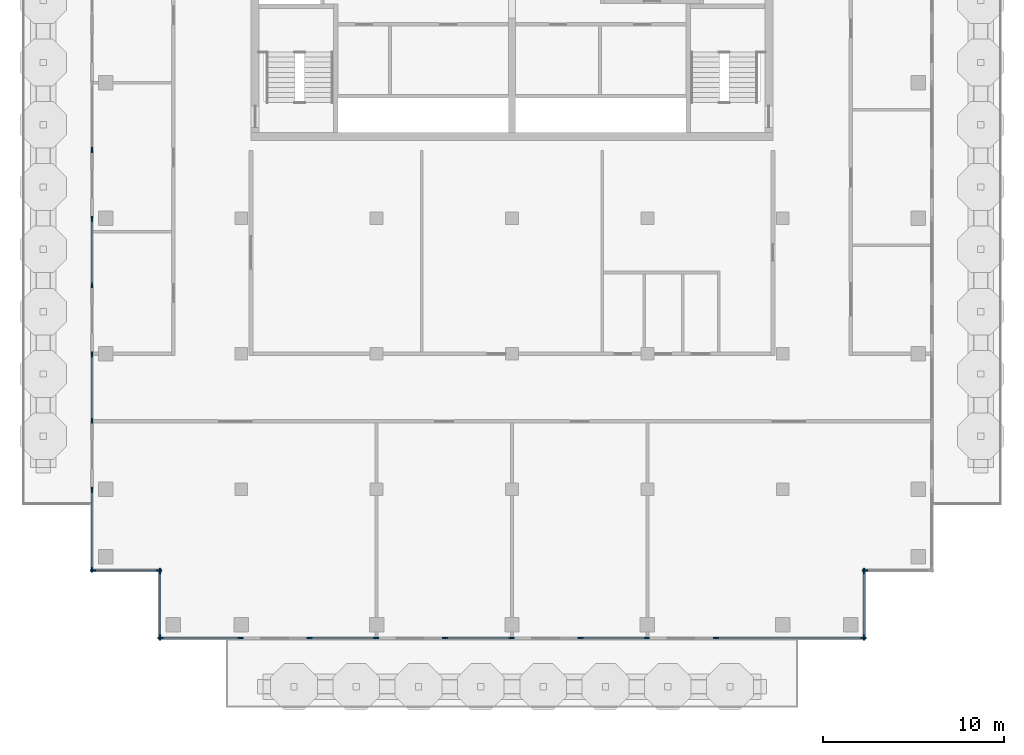
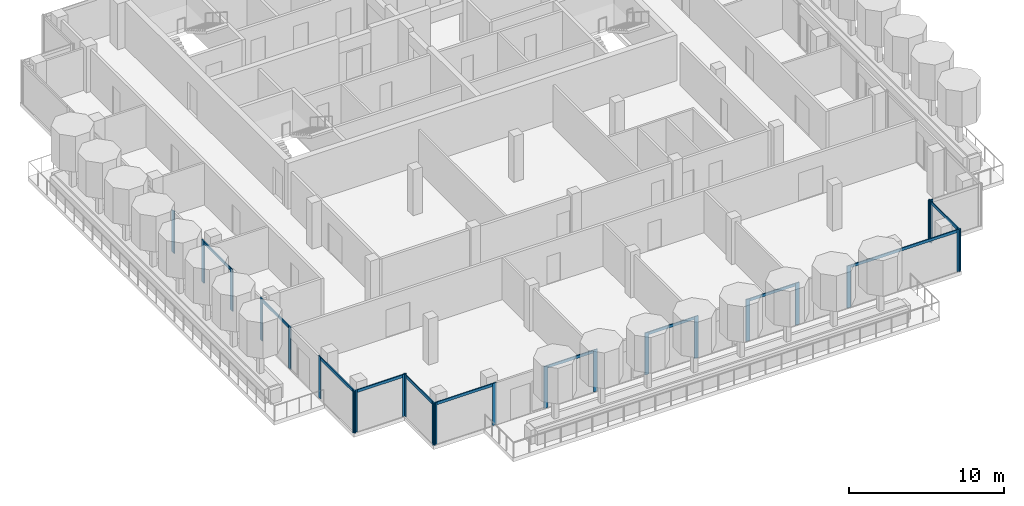
# One storey, part 2 of 12: 35 members, 13 elements without a shape of their own.
"""IFC4 building model written with IfcOpenShell, lengths in metres."""

import ifcopenshell
import ifcopenshell.guid

model = None  # the IFC model being written
_history = None  # IfcOwnerHistory: only IFC2X3 demands one
_inside = {}  # id of a spatial element -> (the spatial element, [elements in it])
_under = {}  # id of a project, library or spatial element -> (it, [spatial elements below it])
_declared = {}  # id of a project -> (the project, [libraries it declares])
_typed = {}  # id of a type object -> (the type object, [elements of that type])
_made_of = {}  # id of a material, layer set ... -> (it, [elements and type objects made of it])


def new_model(schema):
    """Start an empty IFC model of exactly this schema.

    Asked for "IFC4X3", IfcOpenShell would pick the latest addendum, in which some entities
    have other attributes; the version numbers below select the first issue.
    IFC2X3 requires an IfcOwnerHistory on every rooted entity: one is made here for all.
    """
    global model, _history
    if schema == "IFC4X3":
        model = ifcopenshell.file(schema_version=(4, 3, 0, 0))
    else:
        model = ifcopenshell.file(schema=schema)
    _inside.clear()
    _under.clear()
    _declared.clear()
    _typed.clear()
    _made_of.clear()
    _history = None
    if model.schema == "IFC2X3":
        org = make("IfcOrganization", Name="unknown")
        user = make(
            "IfcPersonAndOrganization",
            ThePerson=make("IfcPerson", FamilyName="unknown"),
            TheOrganization=org,
        )
        app = make(
            "IfcApplication",
            ApplicationDeveloper=org,
            Version="unknown",
            ApplicationFullName="unknown",
            ApplicationIdentifier="unknown",
        )
        _history = make(
            "IfcOwnerHistory",
            OwningUser=user,
            OwningApplication=app,
            ChangeAction="ADDED",
            CreationDate=0,
        )
    return model


def make(cls, **values):
    """One entity of the class cls with the attributes given. An attribute that is None is left unset."""
    return model.create_entity(
        cls, **{name: value for name, value in values.items() if value is not None}
    )


def rooted(cls, **values):
    """An entity with a GlobalId (a new one), such as an element, a storey or a relation."""
    return make(cls, GlobalId=ifcopenshell.guid.new(), OwnerHistory=_history, **values)


def si_unit(unit_type, name, prefix=None):
    """IfcSIUnit, for example si_unit("LENGTHUNIT", "METRE", prefix="MILLI")."""
    return make("IfcSIUnit", UnitType=unit_type, Prefix=prefix, Name=name)


def assignment(units):
    """IfcUnitAssignment: the units of a project."""
    return None if units is None else make("IfcUnitAssignment", Units=units)


def point(xyz):
    """IfcCartesianPoint."""
    return None if xyz is None else make("IfcCartesianPoint", Coordinates=xyz)


def direction(xyz):
    """IfcDirection."""
    return None if xyz is None else make("IfcDirection", DirectionRatios=xyz)


def frame(location, z_axis=None, x_axis=None):
    """IfcAxis2Placement3D, a coordinate frame: its origin and axes. An axis left out is left unset."""
    return make(
        "IfcAxis2Placement3D",
        Location=point(location),
        Axis=direction(z_axis),
        RefDirection=direction(x_axis),
    )


def frame_2d(location, x_axis=None):
    """IfcAxis2Placement2D, a coordinate frame in the plane: its origin and x axis."""
    return make(
        "IfcAxis2Placement2D", Location=point(location), RefDirection=direction(x_axis)
    )


def origin():
    """The frame at (0, 0, 0) with its axes left unset."""
    return frame((0.0, 0.0, 0.0))


def origin_2d():
    """The frame at (0, 0) in the plane with its x axis left unset."""
    return frame_2d((0.0, 0.0))


def place(relative_to, where):
    """IfcLocalPlacement: puts the frame where relative to a parent placement (None: the world)."""
    return make(
        "IfcLocalPlacement", PlacementRelTo=relative_to, RelativePlacement=where
    )


def context(
    kind, dimensions, precision=None, world=None, true_north=None, identifier=None
):
    """IfcGeometricRepresentationContext, for example the 3D "Model" context."""
    return make(
        "IfcGeometricRepresentationContext",
        ContextIdentifier=identifier,
        ContextType=kind,
        CoordinateSpaceDimension=dimensions,
        Precision=precision,
        WorldCoordinateSystem=world,
        TrueNorth=true_north,
    )


def subcontext(parent, identifier, kind, view, scale=None):
    """IfcGeometricRepresentationSubContext, for example "Body" below "Model"."""
    return make(
        "IfcGeometricRepresentationSubContext",
        ContextIdentifier=identifier,
        ContextType=kind,
        ParentContext=parent,
        TargetScale=scale,
        TargetView=view,
    )


def project(units=None, contexts=None):
    """IfcProject with its units and contexts."""
    return rooted(
        "IfcProject",
        Name="project",
        RepresentationContexts=contexts,
        UnitsInContext=assignment(units),
    )


def spatial(cls, under=None, at=None, **own):
    """A site, building, storey or space (cls), placed at a placement, below another one or the project."""
    s = rooted(cls, ObjectPlacement=at, **own)
    if under is not None:
        _under.setdefault(under.id(), (under, []))[1].append(s)
    return s


def profile(cls, at=None, kind="AREA", **sizes):
    """A parametric profile (cls). Its sizes go by their IFC names, for example OverallWidth=200.0."""
    return make(cls, ProfileType=kind, Position=at, **sizes)


def rectangle(**sizes):
    """IfcRectangleProfileDef."""
    return profile("IfcRectangleProfileDef", **sizes)


def extrude(swept, where, along, depth):
    """IfcExtrudedAreaSolid: the profile swept, set in the frame where, extruded along a direction by depth."""
    return make(
        "IfcExtrudedAreaSolid",
        SweptArea=swept,
        Position=where,
        ExtrudedDirection=direction(along),
        Depth=depth,
    )


def shape(context_of_items, identifier, shape_type, items):
    """IfcShapeRepresentation: the items that make up one representation, for example the "Body"."""
    return make(
        "IfcShapeRepresentation",
        ContextOfItems=context_of_items,
        RepresentationIdentifier=identifier,
        RepresentationType=shape_type,
        Items=items,
    )


def material(Name=None, Category=None):
    """IfcMaterial."""
    return make("IfcMaterial", Name=Name, Category=Category)


def material_profile(
    of_material, cross_section, Name=None, Category=None, Priority=None
):
    """IfcMaterialProfile: a cross section and its material."""
    return make(
        "IfcMaterialProfile",
        Name=Name,
        Material=of_material,
        Profile=cross_section,
        Priority=Priority,
        Category=Category,
    )


def profile_set(profiles, Name=None, composite=None):
    """IfcMaterialProfileSet."""
    return make(
        "IfcMaterialProfileSet",
        Name=Name,
        MaterialProfiles=profiles,
        CompositeProfile=composite,
    )


def made_of(thing, what):
    """Note that an element or type object is made of a material, layer set ...; save() writes the relation."""
    if what is not None:
        _made_of.setdefault(what.id(), (what, []))[1].append(thing)
    return thing


def type_object(cls, material=None, **own):
    """A type object (cls), such as IfcWallType, which elements share."""
    return made_of(rooted(cls, **own), material)


def element(
    cls,
    number,
    at=None,
    inside=None,
    cuts=None,
    type_object=None,
    material=None,
    context=None,
    identifier="Body",
    shape_type=None,
    held_by="IfcProductDefinitionShape",
    body=None,
    shapes=None,
    **own,
):
    """One element of the class cls, such as IfcWall. Its Tag is "e" and its number.

    at: its placement. inside: the storey or other place that contains it. cuts: it is an
    opening in that element (IfcRelVoidsElement). A single representation is given by context,
    identifier, shape_type and body (its items); several are given by shapes. held_by: the class
    of the entity that holds the representations. save() writes the other relations.
    """
    e = rooted(cls, Tag="e%d" % number, ObjectPlacement=at, **own)
    if body is not None:
        shapes = [shape(context, identifier, shape_type, body)]
    if shapes is not None:
        e.Representation = make(held_by, Representations=shapes)
    if inside is not None:
        _inside.setdefault(inside.id(), (inside, []))[1].append(e)
    if cuts is not None:
        rooted(
            "IfcRelVoidsElement", RelatingBuildingElement=cuts, RelatedOpeningElement=e
        )
    if type_object is not None:
        _typed.setdefault(type_object.id(), (type_object, []))[1].append(e)
    return made_of(e, material)


def aggregate(whole, parts):
    """IfcRelAggregates: a whole, such as a stair, and the parts it consists of."""
    return rooted("IfcRelAggregates", RelatingObject=whole, RelatedObjects=parts)


def save(model, path):
    """Write the relations noted so far, then the file.

    IfcRelAggregates (storeys below a building ...), IfcRelContainedInSpatialStructure (elements
    in a storey), IfcRelDefinesByType, IfcRelAssociatesMaterial and IfcRelDeclares: one each for
    every whole, place, type object, material and project.
    """
    for whole, parts in _under.values():
        aggregate(whole, parts)
    for where, things in _inside.values():
        rooted(
            "IfcRelContainedInSpatialStructure",
            RelatedElements=things,
            RelatingStructure=where,
        )
    for kind, things in _typed.values():
        rooted("IfcRelDefinesByType", RelatedObjects=things, RelatingType=kind)
    for what, things in _made_of.values():
        rooted("IfcRelAssociatesMaterial", RelatedObjects=things, RelatingMaterial=what)
    for by, libraries in _declared.values():
        rooted("IfcRelDeclares", RelatingContext=by, RelatedDefinitions=libraries)
    model.write(path)


model = new_model("IFC4")

# Units and contexts
model_context = context("Model", 3, precision=1e-05, world=origin(), true_north=direction((0.0, 1.0)))
body_context = subcontext(model_context, "Body", "Model", "MODEL_VIEW")
ifc_project = project(units=[si_unit("LENGTHUNIT", "METRE"), si_unit("AREAUNIT", "SQUARE_METRE"), si_unit("VOLUMEUNIT", "CUBIC_METRE"), si_unit("PLANEANGLEUNIT", "RADIAN"), si_unit("MASSUNIT", "GRAM", prefix="KILO")], contexts=[model_context])

# Site, building, storey
site_placement = place(None, origin())
site = spatial("IfcSite", under=ifc_project, at=site_placement, CompositionType="ELEMENT")
building_placement = place(site_placement, origin())
building = spatial("IfcBuilding", under=site, at=building_placement, Name="Pilkhan Gate Tower", CompositionType="ELEMENT")
storey_placement = place(building_placement, frame((0.0, 0.0, 258.5)))
storey = spatial("IfcBuildingStorey", under=building, at=storey_placement, Name="L67", CompositionType="ELEMENT", Elevation=258.5)

# Curtain wall, members
ifc_material_1 = material(Name="Pale anodised aluminium, clear low-iron double glazing", Category="aluminium")
curtain_wall_type = type_object("IfcCurtainWallType", Name="Crown unitised curtain wall CW-C", PredefinedType="USERDEFINED", material=ifc_material_1)
curtain_wall_1_placement = place(storey_placement, origin())
curtain_wall_1 = element("IfcCurtainWall", 1, at=curtain_wall_1_placement, inside=storey, type_object=curtain_wall_type, Name="Crown unitised curtain wall CW-C L67 W", ObjectType="UNITISED CURTAIN WALL", PredefinedType="USERDEFINED")
ifc_material_2 = material(Name="Pale anodised aluminium", Category="aluminium")
ifc_material_profile_1 = material_profile(ifc_material_2, rectangle(XDim=0.074951171875, YDim=0.300048828125, at=origin_2d()), Name="Mullion 300x75")
ifc_profile_set_1 = profile_set([ifc_material_profile_1], Name="Pale anodised aluminium")
member_type_1 = type_object("IfcMemberType", Name="Mullion CW-C 300x75", PredefinedType="MULLION", material=ifc_profile_set_1)
member_1_placement = place(storey_placement, frame((51.75, 48.03759765625, 0.0), z_axis=(0.0, 0.0, 1.0), x_axis=(-1.0, 0.0, 0.0)))
member_1 = element("IfcMember", 2, at=member_1_placement, type_object=member_type_1, Name="CW-C mullion 1", PredefinedType="MULLION", context=body_context, shape_type="SweptSolid", body=[
    extrude(rectangle(XDim=0.074951171875, YDim=0.300048828125, at=origin_2d()), origin(), (0.0, 0.0, 1.0), 3.300048828125),
])
member_2_placement = place(storey_placement, frame((51.75, 52.46240234375, 0.0), z_axis=(0.0, 0.0, 1.0), x_axis=(-1.0, 0.0, 0.0)))
member_2 = element("IfcMember", 3, at=member_2_placement, type_object=member_type_1, Name="CW-C mullion 2", PredefinedType="MULLION", context=body_context, shape_type="SweptSolid", body=[
    extrude(rectangle(XDim=0.074951171875, YDim=0.300048828125, at=origin_2d()), origin(), (0.0, 0.0, 1.0), 3.300048828125),
])

curtain_wall_2_placement = place(storey_placement, origin())
curtain_wall_2 = element("IfcCurtainWall", 4, at=curtain_wall_2_placement, inside=storey, type_object=curtain_wall_type, Name="Crown unitised curtain wall CW-C L67 W", ObjectType="UNITISED CURTAIN WALL", PredefinedType="USERDEFINED")
member_3_placement = place(storey_placement, frame((51.75, 56.28759765625, 0.0), z_axis=(0.0, 0.0, 1.0), x_axis=(-1.0, 0.0, 0.0)))
member_3 = element("IfcMember", 5, at=member_3_placement, type_object=member_type_1, Name="CW-C mullion 1", PredefinedType="MULLION", context=body_context, shape_type="SweptSolid", body=[
    extrude(rectangle(XDim=0.074951171875, YDim=0.300048828125, at=origin_2d()), origin(), (0.0, 0.0, 1.0), 3.300048828125),
])
member_4_placement = place(storey_placement, frame((51.75, 59.96240234375, 0.0), z_axis=(0.0, 0.0, 1.0), x_axis=(-1.0, 0.0, 0.0)))
member_4 = element("IfcMember", 6, at=member_4_placement, type_object=member_type_1, Name="CW-C mullion 2", PredefinedType="MULLION", context=body_context, shape_type="SweptSolid", body=[
    extrude(rectangle(XDim=0.074951171875, YDim=0.300048828125, at=origin_2d()), origin(), (0.0, 0.0, 1.0), 3.300048828125),
])

curtain_wall_3_placement = place(storey_placement, origin())
curtain_wall_3 = element("IfcCurtainWall", 7, at=curtain_wall_3_placement, inside=storey, type_object=curtain_wall_type, Name="Crown unitised curtain wall CW-C L67 W", ObjectType="UNITISED CURTAIN WALL", PredefinedType="USERDEFINED")
member_5_placement = place(storey_placement, frame((51.75, 63.78759765625, 0.0), z_axis=(0.0, 0.0, 1.0), x_axis=(-1.0, 0.0, 0.0)))
member_5 = element("IfcMember", 8, at=member_5_placement, type_object=member_type_1, Name="CW-C mullion 1", PredefinedType="MULLION", context=body_context, shape_type="SweptSolid", body=[
    extrude(rectangle(XDim=0.074951171875, YDim=0.300048828125, at=origin_2d()), origin(), (0.0, 0.0, 1.0), 3.300048828125),
])
member_6_placement = place(storey_placement, frame((51.75, 67.46240234375, 0.0), z_axis=(0.0, 0.0, 1.0), x_axis=(-1.0, 0.0, 0.0)))
member_6 = element("IfcMember", 9, at=member_6_placement, type_object=member_type_1, Name="CW-C mullion 2", PredefinedType="MULLION", context=body_context, shape_type="SweptSolid", body=[
    extrude(rectangle(XDim=0.074951171875, YDim=0.300048828125, at=origin_2d()), origin(), (0.0, 0.0, 1.0), 3.300048828125),
])

# Curtain wall, member
curtain_wall_4_placement = place(storey_placement, origin())
curtain_wall_4 = element("IfcCurtainWall", 10, at=curtain_wall_4_placement, inside=storey, type_object=curtain_wall_type, Name="Crown unitised curtain wall CW-C L67 W", ObjectType="UNITISED CURTAIN WALL", PredefinedType="USERDEFINED")
member_7_placement = place(storey_placement, frame((51.75, 71.28759765625, 0.0), z_axis=(0.0, 0.0, 1.0), x_axis=(-1.0, 0.0, 0.0)))
member_7 = element("IfcMember", 11, at=member_7_placement, type_object=member_type_1, Name="CW-C mullion 1", PredefinedType="MULLION", context=body_context, shape_type="SweptSolid", body=[
    extrude(rectangle(XDim=0.074951171875, YDim=0.300048828125, at=origin_2d()), origin(), (0.0, 0.0, 1.0), 3.300048828125),
])
aggregate(curtain_wall_4, [member_7])

# Curtain wall, members
curtain_wall_5_placement = place(storey_placement, origin())
curtain_wall_5 = element("IfcCurtainWall", 12, at=curtain_wall_5_placement, inside=storey, type_object=curtain_wall_type, Name="Crown unitised curtain wall CW-C L67 S", ObjectType="UNITISED CURTAIN WALL", PredefinedType="USERDEFINED")
member_8_placement = place(storey_placement, frame((51.78759765625, 48.0, 0.0), z_axis=(0.0, 0.0, 1.0), x_axis=(0.0, 1.0, 0.0)))
member_8 = element("IfcMember", 13, at=member_8_placement, type_object=member_type_1, Name="CW-C mullion 1", PredefinedType="MULLION", context=body_context, shape_type="SweptSolid", body=[
    extrude(rectangle(XDim=0.074951171875, YDim=0.300048828125, at=origin_2d()), origin(), (0.0, 0.0, 1.0), 3.300048828125),
])
member_9_placement = place(storey_placement, frame((55.46240234375, 48.0, 0.0), z_axis=(0.0, 0.0, 1.0), x_axis=(0.0, 1.0, 0.0)))
member_9 = element("IfcMember", 14, at=member_9_placement, type_object=member_type_1, Name="CW-C mullion 2", PredefinedType="MULLION", context=body_context, shape_type="SweptSolid", body=[
    extrude(rectangle(XDim=0.074951171875, YDim=0.300048828125, at=origin_2d()), origin(), (0.0, 0.0, 1.0), 3.300048828125),
])

curtain_wall_6_placement = place(storey_placement, origin())
curtain_wall_6 = element("IfcCurtainWall", 15, at=curtain_wall_6_placement, inside=storey, type_object=curtain_wall_type, Name="Crown unitised curtain wall CW-C L67 W", ObjectType="UNITISED CURTAIN WALL", PredefinedType="USERDEFINED")
member_10_placement = place(storey_placement, frame((55.5, 44.28759765625, 0.0), z_axis=(0.0, 0.0, 1.0), x_axis=(-1.0, 0.0, 0.0)))
member_10 = element("IfcMember", 16, at=member_10_placement, type_object=member_type_1, Name="CW-C mullion 1", PredefinedType="MULLION", context=body_context, shape_type="SweptSolid", body=[
    extrude(rectangle(XDim=0.074951171875, YDim=0.300048828125, at=origin_2d()), origin(), (0.0, 0.0, 1.0), 3.300048828125),
])
member_11_placement = place(storey_placement, frame((55.5, 47.96240234375, 0.0), z_axis=(0.0, 0.0, 1.0), x_axis=(-1.0, 0.0, 0.0)))
member_11 = element("IfcMember", 17, at=member_11_placement, type_object=member_type_1, Name="CW-C mullion 2", PredefinedType="MULLION", context=body_context, shape_type="SweptSolid", body=[
    extrude(rectangle(XDim=0.074951171875, YDim=0.300048828125, at=origin_2d()), origin(), (0.0, 0.0, 1.0), 3.300048828125),
])

curtain_wall_7_placement = place(storey_placement, origin())
curtain_wall_7 = element("IfcCurtainWall", 18, at=curtain_wall_7_placement, inside=storey, type_object=curtain_wall_type, Name="Crown unitised curtain wall CW-C L67 S", ObjectType="UNITISED CURTAIN WALL", PredefinedType="USERDEFINED")
member_12_placement = place(storey_placement, frame((55.53759765625, 44.25, 0.0), z_axis=(0.0, 0.0, 1.0), x_axis=(0.0, 1.0, 0.0)))
member_12 = element("IfcMember", 19, at=member_12_placement, type_object=member_type_1, Name="CW-C mullion 1", PredefinedType="MULLION", context=body_context, shape_type="SweptSolid", body=[
    extrude(rectangle(XDim=0.074951171875, YDim=0.300048828125, at=origin_2d()), origin(), (0.0, 0.0, 1.0), 3.300048828125),
])
member_13_placement = place(storey_placement, frame((59.96240234375, 44.25, 0.0), z_axis=(0.0, 0.0, 1.0), x_axis=(0.0, 1.0, 0.0)))
member_13 = element("IfcMember", 20, at=member_13_placement, type_object=member_type_1, Name="CW-C mullion 2", PredefinedType="MULLION", context=body_context, shape_type="SweptSolid", body=[
    extrude(rectangle(XDim=0.074951171875, YDim=0.300048828125, at=origin_2d()), origin(), (0.0, 0.0, 1.0), 3.300048828125),
])

curtain_wall_8_placement = place(storey_placement, origin())
curtain_wall_8 = element("IfcCurtainWall", 21, at=curtain_wall_8_placement, inside=storey, type_object=curtain_wall_type, Name="Crown unitised curtain wall CW-C L67 S", ObjectType="UNITISED CURTAIN WALL", PredefinedType="USERDEFINED")
member_14_placement = place(storey_placement, frame((63.78759765625, 44.25, 0.0), z_axis=(0.0, 0.0, 1.0), x_axis=(0.0, 1.0, 0.0)))
member_14 = element("IfcMember", 22, at=member_14_placement, type_object=member_type_1, Name="CW-C mullion 1", PredefinedType="MULLION", context=body_context, shape_type="SweptSolid", body=[
    extrude(rectangle(XDim=0.074951171875, YDim=0.300048828125, at=origin_2d()), origin(), (0.0, 0.0, 1.0), 3.300048828125),
])
member_15_placement = place(storey_placement, frame((67.46240234375, 44.25, 0.0), z_axis=(0.0, 0.0, 1.0), x_axis=(0.0, 1.0, 0.0)))
member_15 = element("IfcMember", 23, at=member_15_placement, type_object=member_type_1, Name="CW-C mullion 2", PredefinedType="MULLION", context=body_context, shape_type="SweptSolid", body=[
    extrude(rectangle(XDim=0.074951171875, YDim=0.300048828125, at=origin_2d()), origin(), (0.0, 0.0, 1.0), 3.300048828125),
])

curtain_wall_9_placement = place(storey_placement, origin())
curtain_wall_9 = element("IfcCurtainWall", 24, at=curtain_wall_9_placement, inside=storey, type_object=curtain_wall_type, Name="Crown unitised curtain wall CW-C L67 S", ObjectType="UNITISED CURTAIN WALL", PredefinedType="USERDEFINED")
member_16_placement = place(storey_placement, frame((71.28759765625, 44.25, 0.0), z_axis=(0.0, 0.0, 1.0), x_axis=(0.0, 1.0, 0.0)))
member_16 = element("IfcMember", 25, at=member_16_placement, type_object=member_type_1, Name="CW-C mullion 1", PredefinedType="MULLION", context=body_context, shape_type="SweptSolid", body=[
    extrude(rectangle(XDim=0.074951171875, YDim=0.300048828125, at=origin_2d()), origin(), (0.0, 0.0, 1.0), 3.300048828125),
])
member_17_placement = place(storey_placement, frame((74.96240234375, 44.25, 0.0), z_axis=(0.0, 0.0, 1.0), x_axis=(0.0, 1.0, 0.0)))
member_17 = element("IfcMember", 26, at=member_17_placement, type_object=member_type_1, Name="CW-C mullion 2", PredefinedType="MULLION", context=body_context, shape_type="SweptSolid", body=[
    extrude(rectangle(XDim=0.074951171875, YDim=0.300048828125, at=origin_2d()), origin(), (0.0, 0.0, 1.0), 3.300048828125),
])

curtain_wall_10_placement = place(storey_placement, origin())
curtain_wall_10 = element("IfcCurtainWall", 27, at=curtain_wall_10_placement, inside=storey, type_object=curtain_wall_type, Name="Crown unitised curtain wall CW-C L67 S", ObjectType="UNITISED CURTAIN WALL", PredefinedType="USERDEFINED")
member_18_placement = place(storey_placement, frame((78.78759765625, 44.25, 0.0), z_axis=(0.0, 0.0, 1.0), x_axis=(0.0, 1.0, 0.0)))
member_18 = element("IfcMember", 28, at=member_18_placement, type_object=member_type_1, Name="CW-C mullion 1", PredefinedType="MULLION", context=body_context, shape_type="SweptSolid", body=[
    extrude(rectangle(XDim=0.074951171875, YDim=0.300048828125, at=origin_2d()), origin(), (0.0, 0.0, 1.0), 3.300048828125),
])
member_19_placement = place(storey_placement, frame((82.46240234375, 44.25, 0.0), z_axis=(0.0, 0.0, 1.0), x_axis=(0.0, 1.0, 0.0)))
member_19 = element("IfcMember", 29, at=member_19_placement, type_object=member_type_1, Name="CW-C mullion 2", PredefinedType="MULLION", context=body_context, shape_type="SweptSolid", body=[
    extrude(rectangle(XDim=0.074951171875, YDim=0.300048828125, at=origin_2d()), origin(), (0.0, 0.0, 1.0), 3.300048828125),
])

curtain_wall_11_placement = place(storey_placement, origin())
curtain_wall_11 = element("IfcCurtainWall", 30, at=curtain_wall_11_placement, inside=storey, type_object=curtain_wall_type, Name="Crown unitised curtain wall CW-C L67 S", ObjectType="UNITISED CURTAIN WALL", PredefinedType="USERDEFINED")
member_20_placement = place(storey_placement, frame((86.28759765625, 44.25, 0.0), z_axis=(0.0, 0.0, 1.0), x_axis=(0.0, 1.0, 0.0)))
member_20 = element("IfcMember", 31, at=member_20_placement, type_object=member_type_1, Name="CW-C mullion 1", PredefinedType="MULLION", context=body_context, shape_type="SweptSolid", body=[
    extrude(rectangle(XDim=0.074951171875, YDim=0.300048828125, at=origin_2d()), origin(), (0.0, 0.0, 1.0), 3.300048828125),
])
member_21_placement = place(storey_placement, frame((94.46240234375, 44.25, 0.0), z_axis=(0.0, 0.0, 1.0), x_axis=(0.0, 1.0, 0.0)))
member_21 = element("IfcMember", 32, at=member_21_placement, type_object=member_type_1, Name="CW-C mullion 2", PredefinedType="MULLION", context=body_context, shape_type="SweptSolid", body=[
    extrude(rectangle(XDim=0.074951171875, YDim=0.300048828125, at=origin_2d()), origin(), (0.0, 0.0, 1.0), 3.300048828125),
])

curtain_wall_12_placement = place(storey_placement, origin())
curtain_wall_12 = element("IfcCurtainWall", 33, at=curtain_wall_12_placement, inside=storey, type_object=curtain_wall_type, Name="Crown unitised curtain wall CW-C L67 E", ObjectType="UNITISED CURTAIN WALL", PredefinedType="USERDEFINED")
member_22_placement = place(storey_placement, frame((94.5, 44.28759765625, 0.0), z_axis=(0.0, 0.0, 1.0), x_axis=(-1.0, 0.0, 0.0)))
member_22 = element("IfcMember", 34, at=member_22_placement, type_object=member_type_1, Name="CW-C mullion 1", PredefinedType="MULLION", context=body_context, shape_type="SweptSolid", body=[
    extrude(rectangle(XDim=0.074951171875, YDim=0.300048828125, at=origin_2d()), origin(), (0.0, 0.0, 1.0), 3.300048828125),
])
member_23_placement = place(storey_placement, frame((94.5, 47.96240234375, 0.0), z_axis=(0.0, 0.0, 1.0), x_axis=(-1.0, 0.0, 0.0)))
member_23 = element("IfcMember", 35, at=member_23_placement, type_object=member_type_1, Name="CW-C mullion 2", PredefinedType="MULLION", context=body_context, shape_type="SweptSolid", body=[
    extrude(rectangle(XDim=0.074951171875, YDim=0.300048828125, at=origin_2d()), origin(), (0.0, 0.0, 1.0), 3.300048828125),
])

# Curtain wall, member
curtain_wall_13_placement = place(storey_placement, origin())
curtain_wall_13 = element("IfcCurtainWall", 36, at=curtain_wall_13_placement, inside=storey, type_object=curtain_wall_type, Name="Crown unitised curtain wall CW-C L67 S", ObjectType="UNITISED CURTAIN WALL", PredefinedType="USERDEFINED")
member_24_placement = place(storey_placement, frame((94.53759765625, 48.0, 0.0), z_axis=(0.0, 0.0, 1.0), x_axis=(0.0, 1.0, 0.0)))
member_24 = element("IfcMember", 37, at=member_24_placement, type_object=member_type_1, Name="CW-C mullion 1", PredefinedType="MULLION", context=body_context, shape_type="SweptSolid", body=[
    extrude(rectangle(XDim=0.074951171875, YDim=0.300048828125, at=origin_2d()), origin(), (0.0, 0.0, 1.0), 3.300048828125),
])
aggregate(curtain_wall_13, [member_24])

# Member
ifc_material_profile_2 = material_profile(ifc_material_2, rectangle(XDim=0.074951171875, YDim=0.219970703125, at=origin_2d()), Name="Transom 220x75")
ifc_profile_set_2 = profile_set([ifc_material_profile_2], Name="Pale anodised aluminium")
member_type_2 = type_object("IfcMemberType", Name="Transom CW-C 220x75", PredefinedType="USERDEFINED", material=ifc_profile_set_2)
member_25_placement = place(storey_placement, frame((51.75, 48.074951171875, 3.18994140625), z_axis=(0.0, 1.0, 0.0), x_axis=(-1.0, 0.0, 0.0)))
member_25 = element("IfcMember", 38, at=member_25_placement, type_object=member_type_2, Name="CW-C transom 1", ObjectType="TRANSOM", PredefinedType="USERDEFINED", context=body_context, shape_type="SweptSolid", body=[
    extrude(rectangle(XDim=0.074951171875, YDim=0.219970703125, at=origin_2d()), origin(), (0.0, 0.0, 1.0), 4.35009765625),
])

aggregate(curtain_wall_1, [member_1, member_2, member_25])

member_26_placement = place(storey_placement, frame((51.75, 56.324951171875, 3.18994140625), z_axis=(0.0, 1.0, 0.0), x_axis=(-1.0, 0.0, 0.0)))
member_26 = element("IfcMember", 39, at=member_26_placement, type_object=member_type_2, Name="CW-C transom 1", ObjectType="TRANSOM", PredefinedType="USERDEFINED", context=body_context, shape_type="SweptSolid", body=[
    extrude(rectangle(XDim=0.074951171875, YDim=0.219970703125, at=origin_2d()), origin(), (0.0, 0.0, 1.0), 3.60009765625),
])

aggregate(curtain_wall_2, [member_3, member_4, member_26])

member_27_placement = place(storey_placement, frame((51.75, 63.824951171875, 3.18994140625), z_axis=(0.0, 1.0, 0.0), x_axis=(-1.0, 0.0, 0.0)))
member_27 = element("IfcMember", 40, at=member_27_placement, type_object=member_type_2, Name="CW-C transom 1", ObjectType="TRANSOM", PredefinedType="USERDEFINED", context=body_context, shape_type="SweptSolid", body=[
    extrude(rectangle(XDim=0.074951171875, YDim=0.219970703125, at=origin_2d()), origin(), (0.0, 0.0, 1.0), 3.60009765625),
])

aggregate(curtain_wall_3, [member_5, member_6, member_27])

member_28_placement = place(storey_placement, frame((51.824951171875, 48.0, 3.18994140625), z_axis=(1.0, 0.0, 0.0), x_axis=(0.0, 1.0, 0.0)))
member_28 = element("IfcMember", 41, at=member_28_placement, type_object=member_type_2, Name="CW-C transom 1", ObjectType="TRANSOM", PredefinedType="USERDEFINED", context=body_context, shape_type="SweptSolid", body=[
    extrude(rectangle(XDim=0.074951171875, YDim=0.219970703125, at=origin_2d()), origin(), (0.0, 0.0, 1.0), 3.60009765625),
])

aggregate(curtain_wall_5, [member_8, member_9, member_28])

member_29_placement = place(storey_placement, frame((55.5, 44.324951171875, 3.18994140625), z_axis=(0.0, 1.0, 0.0), x_axis=(-1.0, 0.0, 0.0)))
member_29 = element("IfcMember", 42, at=member_29_placement, type_object=member_type_2, Name="CW-C transom 1", ObjectType="TRANSOM", PredefinedType="USERDEFINED", context=body_context, shape_type="SweptSolid", body=[
    extrude(rectangle(XDim=0.074951171875, YDim=0.219970703125, at=origin_2d()), origin(), (0.0, 0.0, 1.0), 3.60009765625),
])

aggregate(curtain_wall_6, [member_10, member_11, member_29])

member_30_placement = place(storey_placement, frame((55.574951171875, 44.25, 3.18994140625), z_axis=(1.0, 0.0, 0.0), x_axis=(0.0, 1.0, 0.0)))
member_30 = element("IfcMember", 43, at=member_30_placement, type_object=member_type_2, Name="CW-C transom 1", ObjectType="TRANSOM", PredefinedType="USERDEFINED", context=body_context, shape_type="SweptSolid", body=[
    extrude(rectangle(XDim=0.074951171875, YDim=0.219970703125, at=origin_2d()), origin(), (0.0, 0.0, 1.0), 4.35009765625),
])

aggregate(curtain_wall_7, [member_12, member_13, member_30])

member_31_placement = place(storey_placement, frame((63.824951171875, 44.25, 3.18994140625), z_axis=(1.0, 0.0, 0.0), x_axis=(0.0, 1.0, 0.0)))
member_31 = element("IfcMember", 44, at=member_31_placement, type_object=member_type_2, Name="CW-C transom 1", ObjectType="TRANSOM", PredefinedType="USERDEFINED", context=body_context, shape_type="SweptSolid", body=[
    extrude(rectangle(XDim=0.074951171875, YDim=0.219970703125, at=origin_2d()), origin(), (0.0, 0.0, 1.0), 3.60009765625),
])

aggregate(curtain_wall_8, [member_14, member_15, member_31])

member_32_placement = place(storey_placement, frame((71.324951171875, 44.25, 3.18994140625), z_axis=(1.0, 0.0, 0.0), x_axis=(0.0, 1.0, 0.0)))
member_32 = element("IfcMember", 45, at=member_32_placement, type_object=member_type_2, Name="CW-C transom 1", ObjectType="TRANSOM", PredefinedType="USERDEFINED", context=body_context, shape_type="SweptSolid", body=[
    extrude(rectangle(XDim=0.074951171875, YDim=0.219970703125, at=origin_2d()), origin(), (0.0, 0.0, 1.0), 3.60009765625),
])

aggregate(curtain_wall_9, [member_16, member_17, member_32])

member_33_placement = place(storey_placement, frame((78.824951171875, 44.25, 3.18994140625), z_axis=(1.0, 0.0, 0.0), x_axis=(0.0, 1.0, 0.0)))
member_33 = element("IfcMember", 46, at=member_33_placement, type_object=member_type_2, Name="CW-C transom 1", ObjectType="TRANSOM", PredefinedType="USERDEFINED", context=body_context, shape_type="SweptSolid", body=[
    extrude(rectangle(XDim=0.074951171875, YDim=0.219970703125, at=origin_2d()), origin(), (0.0, 0.0, 1.0), 3.60009765625),
])

aggregate(curtain_wall_10, [member_18, member_19, member_33])

member_34_placement = place(storey_placement, frame((86.324951171875, 44.25, 3.18994140625), z_axis=(1.0, 0.0, 0.0), x_axis=(0.0, 1.0, 0.0)))
member_34 = element("IfcMember", 47, at=member_34_placement, type_object=member_type_2, Name="CW-C transom 1", ObjectType="TRANSOM", PredefinedType="USERDEFINED", context=body_context, shape_type="SweptSolid", body=[
    extrude(rectangle(XDim=0.074951171875, YDim=0.219970703125, at=origin_2d()), origin(), (0.0, 0.0, 1.0), 8.10009765625),
])

aggregate(curtain_wall_11, [member_20, member_21, member_34])

member_35_placement = place(storey_placement, frame((94.5, 44.324951171875, 3.18994140625), z_axis=(0.0, 1.0, 0.0), x_axis=(-1.0, 0.0, 0.0)))
member_35 = element("IfcMember", 48, at=member_35_placement, type_object=member_type_2, Name="CW-C transom 1", ObjectType="TRANSOM", PredefinedType="USERDEFINED", context=body_context, shape_type="SweptSolid", body=[
    extrude(rectangle(XDim=0.074951171875, YDim=0.219970703125, at=origin_2d()), origin(), (0.0, 0.0, 1.0), 3.60009765625),
])

aggregate(curtain_wall_12, [member_22, member_23, member_35])

save(model, "model.ifc")
